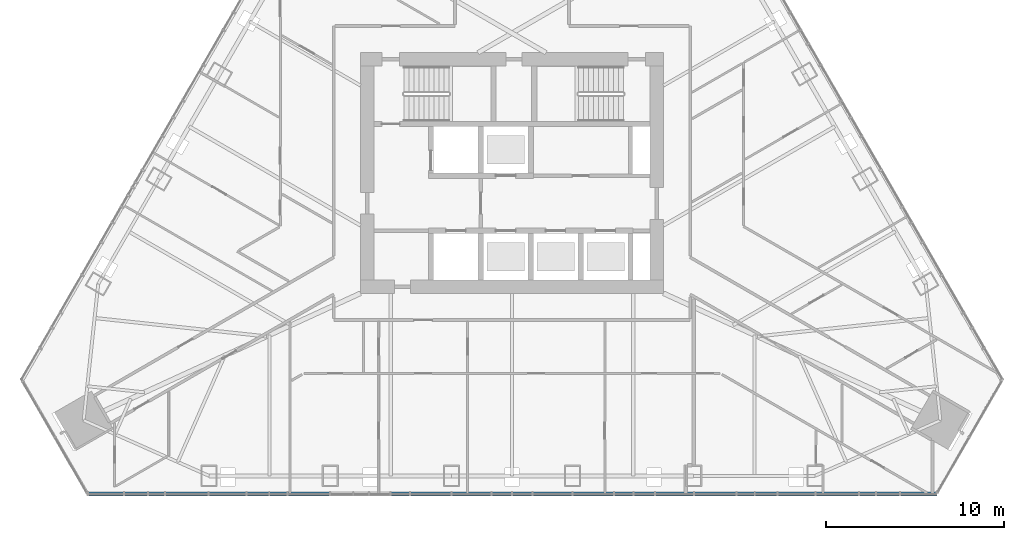
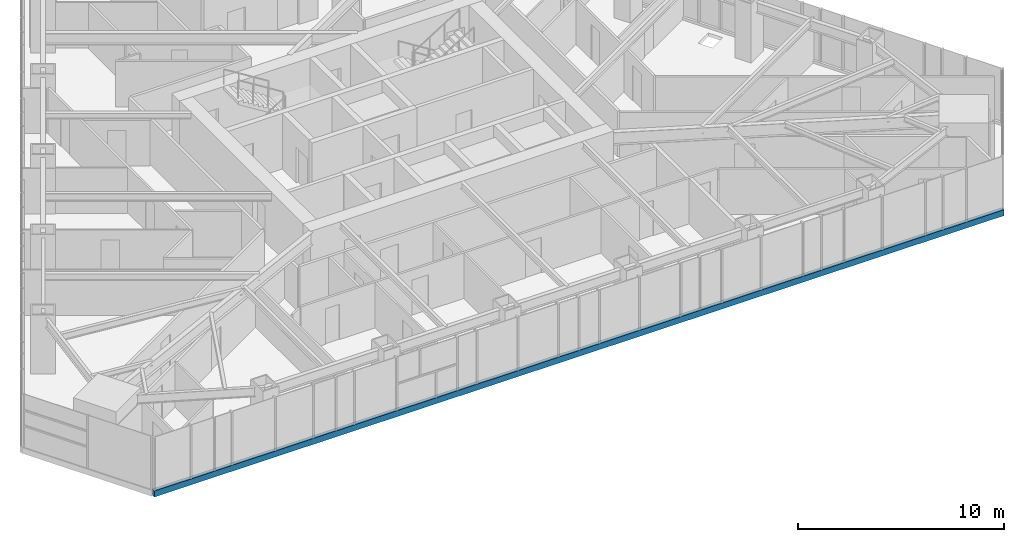
# One storey, part 3 of 19: 1 member, 1 element without a shape of its own.
"""IFC4 building model written with IfcOpenShell, lengths in metres."""

from ifc_helpers import new_model, si_unit, direction, frame, origin, origin_2d, place, context, subcontext, project, spatial, rectangle, extrude, material, layer, layer_set, material_profile, profile_set, type_object, element, aggregate, save


model = new_model("IFC4")

# Units and contexts
model_context = context("Model", 3, precision=1e-05, world=origin(), true_north=direction((0.0, 1.0)))
body_context = subcontext(model_context, "Body", "Model", "MODEL_VIEW")
ifc_project = project(units=[si_unit("LENGTHUNIT", "METRE"), si_unit("AREAUNIT", "SQUARE_METRE"), si_unit("VOLUMEUNIT", "CUBIC_METRE"), si_unit("PLANEANGLEUNIT", "RADIAN"), si_unit("MASSUNIT", "GRAM", prefix="KILO")], contexts=[model_context])

# Site, building, storey
site_placement = place(None, origin())
site = spatial("IfcSite", under=ifc_project, at=site_placement, CompositionType="ELEMENT")
building_placement = place(site_placement, origin())
building = spatial("IfcBuilding", under=site, at=building_placement, Name="Firuza Gate Tower and Library", CompositionType="ELEMENT")
storey_placement = place(building_placement, frame((0.0, 0.0, 256.60009765625)))
storey = spatial("IfcBuildingStorey", under=building, at=storey_placement, Name="L60", CompositionType="ELEMENT", Elevation=256.60009765625)

# Curtain wall, member
ifc_material_1 = material(Name="Aluminium 6063-T6", Category="aluminium")
ifc_layer = layer(ifc_material_1, 0.14990234375)
ifc_layer_set = layer_set([ifc_layer], Name="Unitised curtain wall, residences")
curtain_wall_type = type_object("IfcCurtainWallType", Name="Unitised curtain wall, residences", PredefinedType="NOTDEFINED", material=ifc_layer_set)
curtain_wall_placement = place(storey_placement, origin())
curtain_wall = element("IfcCurtainWall", 1, at=curtain_wall_placement, inside=storey, type_object=curtain_wall_type, Name="CW3 L60 S face", PredefinedType="NOTDEFINED")
ifc_material_2 = material(Name="Aluminium 6063-T6", Category="aluminium")
ifc_material_profile = material_profile(ifc_material_2, rectangle(XDim=0.219970703125, YDim=0.35009765625, at=origin_2d()))
ifc_profile_set = profile_set([ifc_material_profile], Name="Aluminium 6063-T6")
member_type = type_object("IfcMemberType", Name="Curtain wall transom 350x220", PredefinedType="USERDEFINED", material=ifc_profile_set)
member_placement = place(storey_placement, frame((51.15673828125, 56.9921875, -0.025146484375), z_axis=(1.0, 0.0, 0.0), x_axis=(0.0, 1.0, 0.0)))
member = element("IfcMember", 2, at=member_placement, type_object=member_type, Name="Transom", ObjectType="TRANSOM", PredefinedType="USERDEFINED", context=body_context, shape_type="SweptSolid", body=[
    extrude(rectangle(XDim=0.219970703125, YDim=0.35009765625, at=origin_2d()), origin(), (0.0, 0.0, 1.0), 47.6865234375),
])
aggregate(curtain_wall, [member])

save(model, "model.ifc")
